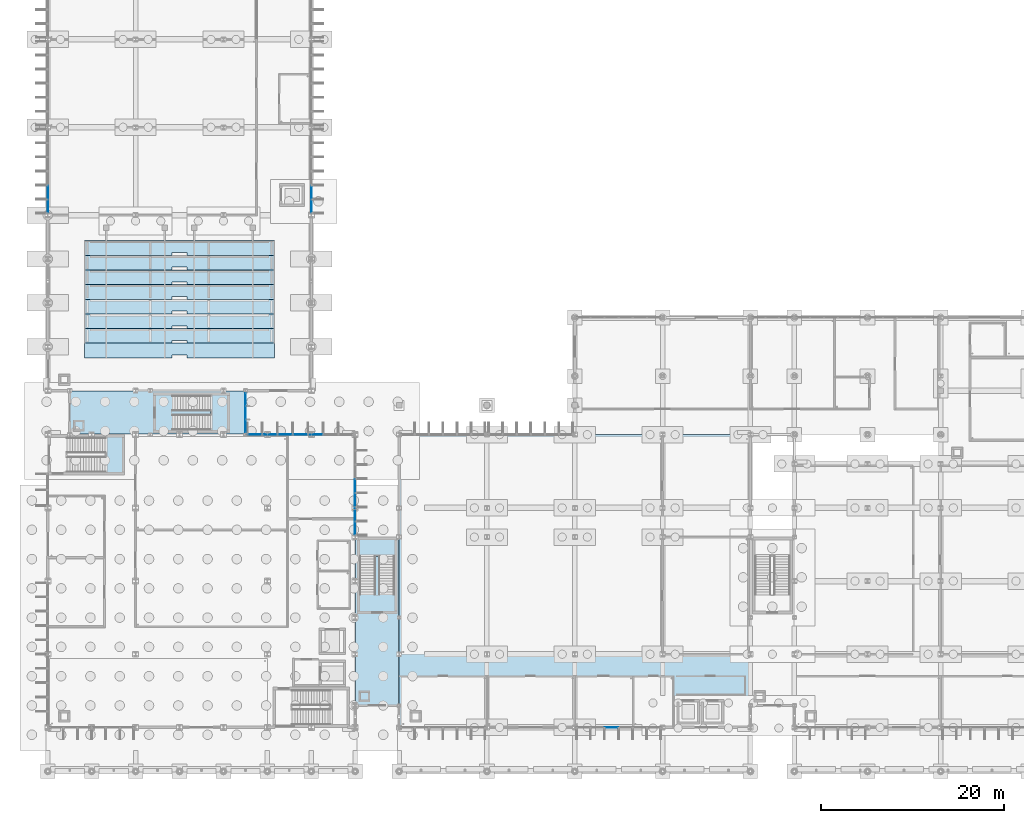
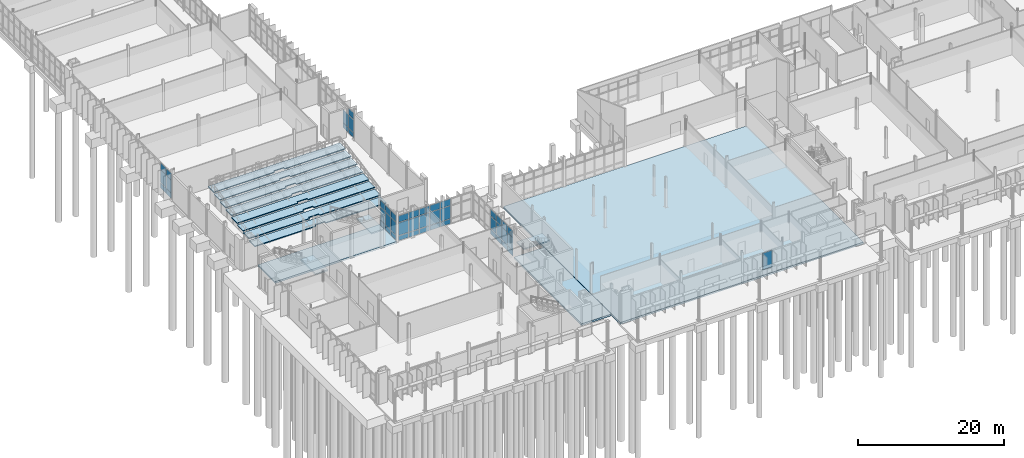
# One storey, part 42 of 111: 48 plates, 14 slabs, 9 elements without a shape of their own.
"""IFC4 building model written with IfcOpenShell, lengths in metres."""

from ifc_helpers import new_model, si_unit, direction, frame, origin, origin_2d, place, context, subcontext, project, spatial, polyline, rectangle, outline, extrude, material, layer, layer_set, type_object, element, aggregate, save


model = new_model("IFC4")

# Units and contexts
model_context = context("Model", 3, precision=1e-05, world=origin(), true_north=direction((0.0, 1.0)))
body_context = subcontext(model_context, "Body", "Model", "MODEL_VIEW")
ifc_project = project(units=[si_unit("LENGTHUNIT", "METRE"), si_unit("AREAUNIT", "SQUARE_METRE"), si_unit("VOLUMEUNIT", "CUBIC_METRE"), si_unit("PLANEANGLEUNIT", "RADIAN"), si_unit("MASSUNIT", "GRAM", prefix="KILO")], contexts=[model_context])

# Site, building, storey
site_placement = place(None, origin())
site = spatial("IfcSite", under=ifc_project, at=site_placement, CompositionType="ELEMENT")
building_placement = place(site_placement, origin())
building = spatial("IfcBuilding", under=site, at=building_placement, Name="Dunescarp Central Library", CompositionType="ELEMENT")
storey_placement = place(building_placement, origin())
storey = spatial("IfcBuildingStorey", under=building, at=storey_placement, Name="L00", CompositionType="ELEMENT", Elevation=0.0)

# Curtain wall, plates
ifc_material_1 = material(Name="Marine-grade anodised aluminium 6063-T6", Category="aluminium")
curtain_wall_type_1 = type_object("IfcCurtainWallType", Name="ARC-CW-STICK", PredefinedType="NOTDEFINED", material=ifc_material_1)
curtain_wall_1_placement = place(storey_placement, origin())
curtain_wall_1 = element("IfcCurtainWall", 1, at=curtain_wall_1_placement, inside=storey, type_object=curtain_wall_type_1, Name="L00 curtain wall CW-V1-002", PredefinedType="NOTDEFINED")
ifc_material_2 = material(Name="Solar-control laminated double glazing", Category="glass")
ifc_layer_1 = layer(ifc_material_2, 0.028076171875)
ifc_layer_set_1 = layer_set([ifc_layer_1], Name="Solar-control laminated double glazing")
plate_type_1 = type_object("IfcPlateType", Name="ARC-PLT-GLZ28", PredefinedType="CURTAIN_PANEL", material=ifc_layer_set_1)
plate_1_placement = place(storey_placement, frame((22.627197265625, 36.800048828125, 0.93994140625), z_axis=(0.0, 0.0, 1.0), x_axis=(1.0, 0.0, 0.0)))
plate_1 = element("IfcPlate", 2, at=plate_1_placement, type_object=plate_type_1, Name="CW-V1-002 panel 1.2", PredefinedType="CURTAIN_PANEL", context=body_context, shape_type="SweptSolid", body=[
    extrude(rectangle(XDim=1.544189453125, YDim=0.028076171875, at=origin_2d()), origin(), (0.0, 0.0, 1.0), 2.1201171875),
])
plate_2_placement = place(storey_placement, frame((22.627197265625, 36.800048828125, 3.14013671875), z_axis=(0.0, 0.0, 1.0), x_axis=(1.0, 0.0, 0.0)))
plate_2 = element("IfcPlate", 3, at=plate_2_placement, type_object=plate_type_1, Name="CW-V1-002 panel 1.3", PredefinedType="CURTAIN_PANEL", context=body_context, shape_type="SweptSolid", body=[
    extrude(rectangle(XDim=1.544189453125, YDim=0.028076171875, at=origin_2d()), origin(), (0.0, 0.0, 1.0), 1.0849609375),
])
plate_3_placement = place(storey_placement, frame((24.271484375, 36.800048828125, 0.93994140625), z_axis=(0.0, 0.0, 1.0), x_axis=(1.0, 0.0, 0.0)))
plate_3 = element("IfcPlate", 4, at=plate_3_placement, type_object=plate_type_1, Name="CW-V1-002 panel 2.2", PredefinedType="CURTAIN_PANEL", context=body_context, shape_type="SweptSolid", body=[
    extrude(rectangle(XDim=1.584228515625, YDim=0.028076171875, at=origin_2d()), origin(), (0.0, 0.0, 1.0), 2.1201171875),
])
plate_4_placement = place(storey_placement, frame((24.271484375, 36.800048828125, 3.14013671875), z_axis=(0.0, 0.0, 1.0), x_axis=(1.0, 0.0, 0.0)))
plate_4 = element("IfcPlate", 5, at=plate_4_placement, type_object=plate_type_1, Name="CW-V1-002 panel 2.3", PredefinedType="CURTAIN_PANEL", context=body_context, shape_type="SweptSolid", body=[
    extrude(rectangle(XDim=1.584228515625, YDim=0.028076171875, at=origin_2d()), origin(), (0.0, 0.0, 1.0), 1.0849609375),
])
plate_5_placement = place(storey_placement, frame((25.935791015625, 36.800048828125, 0.93994140625), z_axis=(0.0, 0.0, 1.0), x_axis=(1.0, 0.0, 0.0)))
plate_5 = element("IfcPlate", 6, at=plate_5_placement, type_object=plate_type_1, Name="CW-V1-002 panel 3.2", PredefinedType="CURTAIN_PANEL", context=body_context, shape_type="SweptSolid", body=[
    extrude(rectangle(XDim=1.584228515625, YDim=0.028076171875, at=origin_2d()), origin(), (0.0, 0.0, 1.0), 2.1201171875),
])
plate_6_placement = place(storey_placement, frame((25.935791015625, 36.800048828125, 3.14013671875), z_axis=(0.0, 0.0, 1.0), x_axis=(1.0, 0.0, 0.0)))
plate_6 = element("IfcPlate", 7, at=plate_6_placement, type_object=plate_type_1, Name="CW-V1-002 panel 3.3", PredefinedType="CURTAIN_PANEL", context=body_context, shape_type="SweptSolid", body=[
    extrude(rectangle(XDim=1.584228515625, YDim=0.028076171875, at=origin_2d()), origin(), (0.0, 0.0, 1.0), 1.0849609375),
])
plate_7_placement = place(storey_placement, frame((27.60009765625, 36.800048828125, 0.93994140625), z_axis=(0.0, 0.0, 1.0), x_axis=(1.0, 0.0, 0.0)))
plate_7 = element("IfcPlate", 8, at=plate_7_placement, type_object=plate_type_1, Name="CW-V1-002 panel 4.2", PredefinedType="CURTAIN_PANEL", context=body_context, shape_type="SweptSolid", body=[
    extrude(rectangle(XDim=1.584228515625, YDim=0.028076171875, at=origin_2d()), origin(), (0.0, 0.0, 1.0), 2.1201171875),
])
plate_8_placement = place(storey_placement, frame((27.60009765625, 36.800048828125, 3.14013671875), z_axis=(0.0, 0.0, 1.0), x_axis=(1.0, 0.0, 0.0)))
plate_8 = element("IfcPlate", 9, at=plate_8_placement, type_object=plate_type_1, Name="CW-V1-002 panel 4.3", PredefinedType="CURTAIN_PANEL", context=body_context, shape_type="SweptSolid", body=[
    extrude(rectangle(XDim=1.584228515625, YDim=0.028076171875, at=origin_2d()), origin(), (0.0, 0.0, 1.0), 1.0849609375),
])
plate_9_placement = place(storey_placement, frame((29.264404296875, 36.800048828125, 0.93994140625), z_axis=(0.0, 0.0, 1.0), x_axis=(1.0, 0.0, 0.0)))
plate_9 = element("IfcPlate", 10, at=plate_9_placement, type_object=plate_type_1, Name="CW-V1-002 panel 5.2", PredefinedType="CURTAIN_PANEL", context=body_context, shape_type="SweptSolid", body=[
    extrude(rectangle(XDim=1.584228515625, YDim=0.028076171875, at=origin_2d()), origin(), (0.0, 0.0, 1.0), 2.1201171875),
])
plate_10_placement = place(storey_placement, frame((29.264404296875, 36.800048828125, 3.14013671875), z_axis=(0.0, 0.0, 1.0), x_axis=(1.0, 0.0, 0.0)))
plate_10 = element("IfcPlate", 11, at=plate_10_placement, type_object=plate_type_1, Name="CW-V1-002 panel 5.3", PredefinedType="CURTAIN_PANEL", context=body_context, shape_type="SweptSolid", body=[
    extrude(rectangle(XDim=1.584228515625, YDim=0.028076171875, at=origin_2d()), origin(), (0.0, 0.0, 1.0), 1.0849609375),
])

curtain_wall_2_placement = place(storey_placement, origin())
curtain_wall_2 = element("IfcCurtainWall", 12, at=curtain_wall_2_placement, inside=storey, type_object=curtain_wall_type_1, Name="L00 curtain wall CW-V1-005", PredefinedType="NOTDEFINED")
plate_11_placement = place(storey_placement, frame((33.60009765625, 31.199951171875, 0.93994140625), z_axis=(0.0, 0.0, 1.0), x_axis=(0.0, -1.0, 0.0)))
plate_11 = element("IfcPlate", 13, at=plate_11_placement, type_object=plate_type_1, Name="CW-V1-005 panel 4.2", PredefinedType="CURTAIN_PANEL", context=body_context, shape_type="SweptSolid", body=[
    extrude(rectangle(XDim=1.469970703125, YDim=0.028076171875, at=origin_2d()), origin(), (0.0, 0.0, 1.0), 2.1201171875),
])
plate_12_placement = place(storey_placement, frame((33.60009765625, 31.199951171875, 3.14013671875), z_axis=(0.0, 0.0, 1.0), x_axis=(0.0, -1.0, 0.0)))
plate_12 = element("IfcPlate", 14, at=plate_12_placement, type_object=plate_type_1, Name="CW-V1-005 panel 4.3", PredefinedType="CURTAIN_PANEL", context=body_context, shape_type="SweptSolid", body=[
    extrude(rectangle(XDim=1.469970703125, YDim=0.028076171875, at=origin_2d()), origin(), (0.0, 0.0, 1.0), 1.0849609375),
])
plate_13_placement = place(storey_placement, frame((33.60009765625, 29.64990234375, 0.93994140625), z_axis=(0.0, 0.0, 1.0), x_axis=(0.0, -1.0, 0.0)))
plate_13 = element("IfcPlate", 15, at=plate_13_placement, type_object=plate_type_1, Name="CW-V1-005 panel 5.2", PredefinedType="CURTAIN_PANEL", context=body_context, shape_type="SweptSolid", body=[
    extrude(rectangle(XDim=1.469970703125, YDim=0.028076171875, at=origin_2d()), origin(), (0.0, 0.0, 1.0), 2.1201171875),
])
plate_14_placement = place(storey_placement, frame((33.60009765625, 29.64990234375, 3.14013671875), z_axis=(0.0, 0.0, 1.0), x_axis=(0.0, -1.0, 0.0)))
plate_14 = element("IfcPlate", 16, at=plate_14_placement, type_object=plate_type_1, Name="CW-V1-005 panel 5.3", PredefinedType="CURTAIN_PANEL", context=body_context, shape_type="SweptSolid", body=[
    extrude(rectangle(XDim=1.469970703125, YDim=0.028076171875, at=origin_2d()), origin(), (0.0, 0.0, 1.0), 1.0849609375),
])
plate_15_placement = place(storey_placement, frame((33.60009765625, 28.10009765625, 0.93994140625), z_axis=(0.0, 0.0, 1.0), x_axis=(0.0, -1.0, 0.0)))
plate_15 = element("IfcPlate", 17, at=plate_15_placement, type_object=plate_type_1, Name="CW-V1-005 panel 6.2", PredefinedType="CURTAIN_PANEL", context=body_context, shape_type="SweptSolid", body=[
    extrude(rectangle(XDim=1.469970703125, YDim=0.028076171875, at=origin_2d()), origin(), (0.0, 0.0, 1.0), 2.1201171875),
])
plate_16_placement = place(storey_placement, frame((33.60009765625, 28.10009765625, 3.14013671875), z_axis=(0.0, 0.0, 1.0), x_axis=(0.0, -1.0, 0.0)))
plate_16 = element("IfcPlate", 18, at=plate_16_placement, type_object=plate_type_1, Name="CW-V1-005 panel 6.3", PredefinedType="CURTAIN_PANEL", context=body_context, shape_type="SweptSolid", body=[
    extrude(rectangle(XDim=1.469970703125, YDim=0.028076171875, at=origin_2d()), origin(), (0.0, 0.0, 1.0), 1.0849609375),
])
plate_17_placement = place(storey_placement, frame((33.60009765625, 26.570068359375, 0.93994140625), z_axis=(0.0, 0.0, 1.0), x_axis=(0.0, -1.0, 0.0)))
plate_17 = element("IfcPlate", 19, at=plate_17_placement, type_object=plate_type_1, Name="CW-V1-005 panel 7.2", PredefinedType="CURTAIN_PANEL", context=body_context, shape_type="SweptSolid", body=[
    extrude(rectangle(XDim=1.429931640625, YDim=0.028076171875, at=origin_2d()), origin(), (0.0, 0.0, 1.0), 2.1201171875),
])
plate_18_placement = place(storey_placement, frame((33.60009765625, 26.570068359375, 3.14013671875), z_axis=(0.0, 0.0, 1.0), x_axis=(0.0, -1.0, 0.0)))
plate_18 = element("IfcPlate", 20, at=plate_18_placement, type_object=plate_type_1, Name="CW-V1-005 panel 7.3", PredefinedType="CURTAIN_PANEL", context=body_context, shape_type="SweptSolid", body=[
    extrude(rectangle(XDim=1.429931640625, YDim=0.028076171875, at=origin_2d()), origin(), (0.0, 0.0, 1.0), 1.0849609375),
])

# Curtain wall, plate
curtain_wall_3_placement = place(storey_placement, origin())
curtain_wall_3 = element("IfcCurtainWall", 21, at=curtain_wall_3_placement, inside=storey, type_object=curtain_wall_type_1, Name="L00 curtain wall CW-V2-045", PredefinedType="NOTDEFINED")
plate_19_placement = place(storey_placement, frame((61.629150390625, 4.800048828125, 0.93994140625), z_axis=(0.0, 0.0, 1.0), x_axis=(-1.0, 0.0, 0.0)))
plate_19 = element("IfcPlate", 22, at=plate_19_placement, type_object=plate_type_1, Name="CW-V2-045 panel 4.2", PredefinedType="CURTAIN_PANEL", context=body_context, shape_type="SweptSolid", body=[
    extrude(rectangle(XDim=1.461669921875, YDim=0.028076171875, at=origin_2d()), origin(), (0.0, 0.0, 1.0), 2.784912109375),
])
aggregate(curtain_wall_3, [plate_19])

# Curtain wall, plates
curtain_wall_4_placement = place(storey_placement, origin())
curtain_wall_4 = element("IfcCurtainWall", 23, at=curtain_wall_4_placement, inside=storey, type_object=curtain_wall_type_1, Name="L00 curtain wall CW-V4-112", PredefinedType="NOTDEFINED")
plate_20_placement = place(storey_placement, frame((0.0, 61.765869140625, 0.93994140625), z_axis=(0.0, 0.0, 1.0), x_axis=(0.0, 1.0, 0.0)))
plate_20 = element("IfcPlate", 24, at=plate_20_placement, type_object=plate_type_1, Name="CW-V4-112 panel 1.2", PredefinedType="CURTAIN_PANEL", context=body_context, shape_type="SweptSolid", body=[
    extrude(rectangle(XDim=1.421630859375, YDim=0.028076171875, at=origin_2d()), origin(), (0.0, 0.0, 1.0), 2.1201171875),
])
plate_21_placement = place(storey_placement, frame((0.0, 61.765869140625, 3.139892578125), z_axis=(0.0, 0.0, 1.0), x_axis=(0.0, 1.0, 0.0)))
plate_21 = element("IfcPlate", 25, at=plate_21_placement, type_object=plate_type_1, Name="CW-V4-112 panel 1.3", PredefinedType="CURTAIN_PANEL", context=body_context, shape_type="SweptSolid", body=[
    extrude(rectangle(XDim=1.421630859375, YDim=0.028076171875, at=origin_2d()), origin(), (0.0, 0.0, 1.0), 1.10205078125),
])
plate_22_placement = place(storey_placement, frame((0.0, 63.28759765625, 0.93994140625), z_axis=(0.0, 0.0, 1.0), x_axis=(0.0, 1.0, 0.0)))
plate_22 = element("IfcPlate", 26, at=plate_22_placement, type_object=plate_type_1, Name="CW-V4-112 panel 2.2", PredefinedType="CURTAIN_PANEL", context=body_context, shape_type="SweptSolid", body=[
    extrude(rectangle(XDim=1.461669921875, YDim=0.028076171875, at=origin_2d()), origin(), (0.0, 0.0, 1.0), 2.1201171875),
])
plate_23_placement = place(storey_placement, frame((0.0, 63.28759765625, 3.139892578125), z_axis=(0.0, 0.0, 1.0), x_axis=(0.0, 1.0, 0.0)))
plate_23 = element("IfcPlate", 27, at=plate_23_placement, type_object=plate_type_1, Name="CW-V4-112 panel 2.3", PredefinedType="CURTAIN_PANEL", context=body_context, shape_type="SweptSolid", body=[
    extrude(rectangle(XDim=1.461669921875, YDim=0.028076171875, at=origin_2d()), origin(), (0.0, 0.0, 1.0), 1.10205078125),
])

curtain_wall_5_placement = place(storey_placement, origin())
curtain_wall_5 = element("IfcCurtainWall", 28, at=curtain_wall_5_placement, inside=storey, type_object=curtain_wall_type_1, Name="L00 curtain wall CW-V4-113", PredefinedType="NOTDEFINED")
plate_24_placement = place(storey_placement, frame((28.800048828125, 63.28759765625, 0.93994140625), z_axis=(0.0, 0.0, 1.0), x_axis=(0.0, -1.0, 0.0)))
plate_24 = element("IfcPlate", 29, at=plate_24_placement, type_object=plate_type_1, Name="CW-V4-113 panel 5.2", PredefinedType="CURTAIN_PANEL", context=body_context, shape_type="SweptSolid", body=[
    extrude(rectangle(XDim=1.461669921875, YDim=0.028076171875, at=origin_2d()), origin(), (0.0, 0.0, 1.0), 2.1201171875),
])
plate_25_placement = place(storey_placement, frame((28.800048828125, 61.765869140625, 0.93994140625), z_axis=(0.0, 0.0, 1.0), x_axis=(0.0, -1.0, 0.0)))
plate_25 = element("IfcPlate", 30, at=plate_25_placement, type_object=plate_type_1, Name="CW-V4-113 panel 6.2", PredefinedType="CURTAIN_PANEL", context=body_context, shape_type="SweptSolid", body=[
    extrude(rectangle(XDim=1.421630859375, YDim=0.028076171875, at=origin_2d()), origin(), (0.0, 0.0, 1.0), 2.1201171875),
])
plate_26_placement = place(storey_placement, frame((28.800048828125, 61.765869140625, 3.139892578125), z_axis=(0.0, 0.0, 1.0), x_axis=(0.0, -1.0, 0.0)))
plate_26 = element("IfcPlate", 31, at=plate_26_placement, type_object=plate_type_1, Name="CW-V4-113 panel 6.3", PredefinedType="CURTAIN_PANEL", context=body_context, shape_type="SweptSolid", body=[
    extrude(rectangle(XDim=1.421630859375, YDim=0.028076171875, at=origin_2d()), origin(), (0.0, 0.0, 1.0), 1.10205078125),
])

curtain_wall_type_2 = type_object("IfcCurtainWallType", Name="ARC-CW-LINK", PredefinedType="USERDEFINED", material=ifc_material_1)
curtain_wall_6_placement = place(storey_placement, origin())
curtain_wall_6 = element("IfcCurtainWall", 32, at=curtain_wall_6_placement, inside=storey, type_object=curtain_wall_type_2, Name="L00 curtain wall CW-GL4-E-L00", ObjectType="GLAZED_LINK_WALL", PredefinedType="USERDEFINED")
plate_27_placement = place(storey_placement, frame((21.60009765625, 40.663330078125, 0.93994140625), z_axis=(0.0, 0.0, 1.0), x_axis=(0.0, -1.0, 0.0)))
plate_27 = element("IfcPlate", 33, at=plate_27_placement, type_object=plate_type_1, Name="CW-GL4-E-L00 panel 1.2", PredefinedType="CURTAIN_PANEL", context=body_context, shape_type="SweptSolid", body=[
    extrude(rectangle(XDim=1.36328125, YDim=0.028076171875, at=origin_2d()), origin(), (0.0, 0.0, 1.0), 2.1201171875),
])
plate_28_placement = place(storey_placement, frame((21.60009765625, 40.663330078125, 3.14013671875), z_axis=(0.0, 0.0, 1.0), x_axis=(0.0, -1.0, 0.0)))
plate_28 = element("IfcPlate", 34, at=plate_28_placement, type_object=plate_type_1, Name="CW-GL4-E-L00 panel 1.3", PredefinedType="CURTAIN_PANEL", context=body_context, shape_type="SweptSolid", body=[
    extrude(rectangle(XDim=1.36328125, YDim=0.028076171875, at=origin_2d()), origin(), (0.0, 0.0, 1.0), 1.0849609375),
])
plate_29_placement = place(storey_placement, frame((21.60009765625, 39.199951171875, 0.93994140625), z_axis=(0.0, 0.0, 1.0), x_axis=(0.0, -1.0, 0.0)))
plate_29 = element("IfcPlate", 35, at=plate_29_placement, type_object=plate_type_1, Name="CW-GL4-E-L00 panel 2.2", PredefinedType="CURTAIN_PANEL", context=body_context, shape_type="SweptSolid", body=[
    extrude(rectangle(XDim=1.4033203125, YDim=0.028076171875, at=origin_2d()), origin(), (0.0, 0.0, 1.0), 2.1201171875),
])
plate_30_placement = place(storey_placement, frame((21.60009765625, 39.199951171875, 3.14013671875), z_axis=(0.0, 0.0, 1.0), x_axis=(0.0, -1.0, 0.0)))
plate_30 = element("IfcPlate", 36, at=plate_30_placement, type_object=plate_type_1, Name="CW-GL4-E-L00 panel 2.3", PredefinedType="CURTAIN_PANEL", context=body_context, shape_type="SweptSolid", body=[
    extrude(rectangle(XDim=1.4033203125, YDim=0.028076171875, at=origin_2d()), origin(), (0.0, 0.0, 1.0), 1.0849609375),
])
plate_31_placement = place(storey_placement, frame((21.60009765625, 37.736572265625, 0.93994140625), z_axis=(0.0, 0.0, 1.0), x_axis=(0.0, -1.0, 0.0)))
plate_31 = element("IfcPlate", 37, at=plate_31_placement, type_object=plate_type_1, Name="CW-GL4-E-L00 panel 3.2", PredefinedType="CURTAIN_PANEL", context=body_context, shape_type="SweptSolid", body=[
    extrude(rectangle(XDim=1.36328125, YDim=0.028076171875, at=origin_2d()), origin(), (0.0, 0.0, 1.0), 2.1201171875),
])
plate_32_placement = place(storey_placement, frame((21.60009765625, 37.736572265625, 3.14013671875), z_axis=(0.0, 0.0, 1.0), x_axis=(0.0, -1.0, 0.0)))
plate_32 = element("IfcPlate", 38, at=plate_32_placement, type_object=plate_type_1, Name="CW-GL4-E-L00 panel 3.3", PredefinedType="CURTAIN_PANEL", context=body_context, shape_type="SweptSolid", body=[
    extrude(rectangle(XDim=1.36328125, YDim=0.028076171875, at=origin_2d()), origin(), (0.0, 0.0, 1.0), 1.0849609375),
])

# Plate
ifc_layer_2 = layer(ifc_material_1, 0.050048828125)
ifc_layer_set_2 = layer_set([ifc_layer_2], Name="Marine-grade anodised aluminium 6063-T6")
plate_type_2 = type_object("IfcPlateType", Name="ARC-PLT-SPN50", PredefinedType="SHEET", material=ifc_layer_set_2)
plate_33_placement = place(storey_placement, frame((22.627197265625, 36.800048828125, 0.080078125), z_axis=(0.0, 0.0, 1.0), x_axis=(1.0, 0.0, 0.0)))
plate_33 = element("IfcPlate", 39, at=plate_33_placement, type_object=plate_type_2, Name="CW-V1-002 panel 1.1", PredefinedType="SHEET", context=body_context, shape_type="SweptSolid", body=[
    extrude(rectangle(XDim=1.544189453125, YDim=0.050048828125, at=origin_2d()), origin(), (0.0, 0.0, 1.0), 0.780029296875),
])

plate_34_placement = place(storey_placement, frame((24.271484375, 36.800048828125, 0.080078125), z_axis=(0.0, 0.0, 1.0), x_axis=(1.0, 0.0, 0.0)))
plate_34 = element("IfcPlate", 40, at=plate_34_placement, type_object=plate_type_2, Name="CW-V1-002 panel 2.1", PredefinedType="SHEET", context=body_context, shape_type="SweptSolid", body=[
    extrude(rectangle(XDim=1.584228515625, YDim=0.050048828125, at=origin_2d()), origin(), (0.0, 0.0, 1.0), 0.780029296875),
])

plate_35_placement = place(storey_placement, frame((25.935791015625, 36.800048828125, 0.080078125), z_axis=(0.0, 0.0, 1.0), x_axis=(1.0, 0.0, 0.0)))
plate_35 = element("IfcPlate", 41, at=plate_35_placement, type_object=plate_type_2, Name="CW-V1-002 panel 3.1", PredefinedType="SHEET", context=body_context, shape_type="SweptSolid", body=[
    extrude(rectangle(XDim=1.584228515625, YDim=0.050048828125, at=origin_2d()), origin(), (0.0, 0.0, 1.0), 0.780029296875),
])

plate_36_placement = place(storey_placement, frame((27.60009765625, 36.800048828125, 0.080078125), z_axis=(0.0, 0.0, 1.0), x_axis=(1.0, 0.0, 0.0)))
plate_36 = element("IfcPlate", 42, at=plate_36_placement, type_object=plate_type_2, Name="CW-V1-002 panel 4.1", PredefinedType="SHEET", context=body_context, shape_type="SweptSolid", body=[
    extrude(rectangle(XDim=1.584228515625, YDim=0.050048828125, at=origin_2d()), origin(), (0.0, 0.0, 1.0), 0.780029296875),
])

plate_37_placement = place(storey_placement, frame((29.264404296875, 36.800048828125, 0.080078125), z_axis=(0.0, 0.0, 1.0), x_axis=(1.0, 0.0, 0.0)))
plate_37 = element("IfcPlate", 43, at=plate_37_placement, type_object=plate_type_2, Name="CW-V1-002 panel 5.1", PredefinedType="SHEET", context=body_context, shape_type="SweptSolid", body=[
    extrude(rectangle(XDim=1.584228515625, YDim=0.050048828125, at=origin_2d()), origin(), (0.0, 0.0, 1.0), 0.780029296875),
])

aggregate(curtain_wall_1, [plate_33, plate_1, plate_2, plate_34, plate_3, plate_4, plate_35, plate_5, plate_6, plate_36, plate_7, plate_8, plate_37, plate_9, plate_10])

plate_38_placement = place(storey_placement, frame((33.60009765625, 31.199951171875, 0.080078125), z_axis=(0.0, 0.0, 1.0), x_axis=(0.0, -1.0, 0.0)))
plate_38 = element("IfcPlate", 44, at=plate_38_placement, type_object=plate_type_2, Name="CW-V1-005 panel 4.1", PredefinedType="SHEET", context=body_context, shape_type="SweptSolid", body=[
    extrude(rectangle(XDim=1.469970703125, YDim=0.050048828125, at=origin_2d()), origin(), (0.0, 0.0, 1.0), 0.780029296875),
])

plate_39_placement = place(storey_placement, frame((33.60009765625, 29.64990234375, 0.080078125), z_axis=(0.0, 0.0, 1.0), x_axis=(0.0, -1.0, 0.0)))
plate_39 = element("IfcPlate", 45, at=plate_39_placement, type_object=plate_type_2, Name="CW-V1-005 panel 5.1", PredefinedType="SHEET", context=body_context, shape_type="SweptSolid", body=[
    extrude(rectangle(XDim=1.469970703125, YDim=0.050048828125, at=origin_2d()), origin(), (0.0, 0.0, 1.0), 0.780029296875),
])

plate_40_placement = place(storey_placement, frame((33.60009765625, 28.10009765625, 0.080078125), z_axis=(0.0, 0.0, 1.0), x_axis=(0.0, -1.0, 0.0)))
plate_40 = element("IfcPlate", 46, at=plate_40_placement, type_object=plate_type_2, Name="CW-V1-005 panel 6.1", PredefinedType="SHEET", context=body_context, shape_type="SweptSolid", body=[
    extrude(rectangle(XDim=1.469970703125, YDim=0.050048828125, at=origin_2d()), origin(), (0.0, 0.0, 1.0), 0.780029296875),
])

plate_41_placement = place(storey_placement, frame((33.60009765625, 26.570068359375, 0.080078125), z_axis=(0.0, 0.0, 1.0), x_axis=(0.0, -1.0, 0.0)))
plate_41 = element("IfcPlate", 47, at=plate_41_placement, type_object=plate_type_2, Name="CW-V1-005 panel 7.1", PredefinedType="SHEET", context=body_context, shape_type="SweptSolid", body=[
    extrude(rectangle(XDim=1.429931640625, YDim=0.050048828125, at=origin_2d()), origin(), (0.0, 0.0, 1.0), 0.780029296875),
])

aggregate(curtain_wall_2, [plate_38, plate_11, plate_12, plate_39, plate_13, plate_14, plate_40, plate_15, plate_16, plate_41, plate_17, plate_18])

plate_42_placement = place(storey_placement, frame((0.0, 61.765869140625, 0.080078125), z_axis=(0.0, 0.0, 1.0), x_axis=(0.0, 1.0, 0.0)))
plate_42 = element("IfcPlate", 48, at=plate_42_placement, type_object=plate_type_2, Name="CW-V4-112 panel 1.1", PredefinedType="SHEET", context=body_context, shape_type="SweptSolid", body=[
    extrude(rectangle(XDim=1.421630859375, YDim=0.050048828125, at=origin_2d()), origin(), (0.0, 0.0, 1.0), 0.780029296875),
])

plate_43_placement = place(storey_placement, frame((0.0, 63.28759765625, 0.080078125), z_axis=(0.0, 0.0, 1.0), x_axis=(0.0, 1.0, 0.0)))
plate_43 = element("IfcPlate", 49, at=plate_43_placement, type_object=plate_type_2, Name="CW-V4-112 panel 2.1", PredefinedType="SHEET", context=body_context, shape_type="SweptSolid", body=[
    extrude(rectangle(XDim=1.461669921875, YDim=0.050048828125, at=origin_2d()), origin(), (0.0, 0.0, 1.0), 0.780029296875),
])

aggregate(curtain_wall_4, [plate_42, plate_20, plate_21, plate_43, plate_22, plate_23])

plate_44_placement = place(storey_placement, frame((28.800048828125, 63.28759765625, 0.080078125), z_axis=(0.0, 0.0, 1.0), x_axis=(0.0, -1.0, 0.0)))
plate_44 = element("IfcPlate", 50, at=plate_44_placement, type_object=plate_type_2, Name="CW-V4-113 panel 5.1", PredefinedType="SHEET", context=body_context, shape_type="SweptSolid", body=[
    extrude(rectangle(XDim=1.461669921875, YDim=0.050048828125, at=origin_2d()), origin(), (0.0, 0.0, 1.0), 0.780029296875),
])

plate_45_placement = place(storey_placement, frame((28.800048828125, 61.765869140625, 0.080078125), z_axis=(0.0, 0.0, 1.0), x_axis=(0.0, -1.0, 0.0)))
plate_45 = element("IfcPlate", 51, at=plate_45_placement, type_object=plate_type_2, Name="CW-V4-113 panel 6.1", PredefinedType="SHEET", context=body_context, shape_type="SweptSolid", body=[
    extrude(rectangle(XDim=1.421630859375, YDim=0.050048828125, at=origin_2d()), origin(), (0.0, 0.0, 1.0), 0.780029296875),
])

aggregate(curtain_wall_5, [plate_44, plate_24, plate_45, plate_25, plate_26])

plate_46_placement = place(storey_placement, frame((21.60009765625, 40.663330078125, 0.080078125), z_axis=(0.0, 0.0, 1.0), x_axis=(0.0, -1.0, 0.0)))
plate_46 = element("IfcPlate", 52, at=plate_46_placement, type_object=plate_type_2, Name="CW-GL4-E-L00 panel 1.1", PredefinedType="SHEET", context=body_context, shape_type="SweptSolid", body=[
    extrude(rectangle(XDim=1.36328125, YDim=0.050048828125, at=origin_2d()), origin(), (0.0, 0.0, 1.0), 0.780029296875),
])

plate_47_placement = place(storey_placement, frame((21.60009765625, 39.199951171875, 0.080078125), z_axis=(0.0, 0.0, 1.0), x_axis=(0.0, -1.0, 0.0)))
plate_47 = element("IfcPlate", 53, at=plate_47_placement, type_object=plate_type_2, Name="CW-GL4-E-L00 panel 2.1", PredefinedType="SHEET", context=body_context, shape_type="SweptSolid", body=[
    extrude(rectangle(XDim=1.4033203125, YDim=0.050048828125, at=origin_2d()), origin(), (0.0, 0.0, 1.0), 0.780029296875),
])

plate_48_placement = place(storey_placement, frame((21.60009765625, 37.736572265625, 0.080078125), z_axis=(0.0, 0.0, 1.0), x_axis=(0.0, -1.0, 0.0)))
plate_48 = element("IfcPlate", 54, at=plate_48_placement, type_object=plate_type_2, Name="CW-GL4-E-L00 panel 3.1", PredefinedType="SHEET", context=body_context, shape_type="SweptSolid", body=[
    extrude(rectangle(XDim=1.36328125, YDim=0.050048828125, at=origin_2d()), origin(), (0.0, 0.0, 1.0), 0.780029296875),
])

aggregate(curtain_wall_6, [plate_46, plate_27, plate_28, plate_47, plate_29, plate_30, plate_48, plate_31, plate_32])

# Slabs
ifc_material_3 = material(Name="Concrete C35/45", Category="concrete")
ifc_layer_3 = layer(ifc_material_3, 0.300048828125)
ifc_layer_set_3 = layer_set([ifc_layer_3], Name="Concrete C35/45")
slab_type_1 = type_object("IfcSlabType", Name="STR-SLB-BASE300", PredefinedType="BASESLAB", material=ifc_layer_set_3)
slab_1_placement = place(storey_placement, frame((0.0, 0.0, -0.300048828125)))
element("IfcSlab", 55, at=slab_1_placement, inside=storey, type_object=slab_type_1, Name="L00 V2 slab", PredefinedType="BASESLAB", context=body_context, shape_type="SweptSolid", body=[
    extrude(outline(polyline([(38.39990234375, 4.800048828125), (76.800048828125, 4.800048828125), (76.800048828125, 36.800048828125), (38.39990234375, 36.800048828125), (38.39990234375, 4.800048828125)])), origin(), (0.0, 0.0, 1.0), 0.300048828125),
])
slab_2_placement = place(storey_placement, frame((0.0, 0.0, -0.300048828125)))
element("IfcSlab", 56, at=slab_2_placement, inside=storey, type_object=slab_type_1, Name="L00 GL1 slab", PredefinedType="BASESLAB", context=body_context, shape_type="SweptSolid", body=[
    extrude(outline(polyline([(33.64990234375, 7.199951171875), (38.35009765625, 7.199951171875), (38.35009765625, 25.60009765625), (33.64990234375, 25.60009765625), (33.64990234375, 7.199951171875)])), origin(), (0.0, 0.0, 1.0), 0.300048828125),
])
slab_3_placement = place(storey_placement, frame((0.0, 0.0, -0.300048828125)))
element("IfcSlab", 57, at=slab_3_placement, inside=storey, type_object=slab_type_1, Name="L00 GL4 slab", PredefinedType="BASESLAB", context=body_context, shape_type="SweptSolid", body=[
    extrude(outline(polyline([(2.39990234375, 36.85009765625), (21.60009765625, 36.85009765625), (21.60009765625, 41.550048828125), (2.39990234375, 41.550048828125), (2.39990234375, 36.85009765625)])), origin(), (0.0, 0.0, 1.0), 0.300048828125),
])

# Stair, slab
stair_type = type_object("IfcStairType", Name="ARC-STR-L00", PredefinedType="HALF_TURN_STAIR", material=ifc_material_3)
stair_1_placement = place(storey_placement, origin())
stair_1 = element("IfcStair", 58, at=stair_1_placement, inside=storey, type_object=stair_type, Name="L00 Protected escape stair ST-6", PredefinedType="HALF_TURN_STAIR")
ifc_layer_4 = layer(ifc_material_3, 0.199951171875)
ifc_layer_set_4 = layer_set([ifc_layer_4], Name="Concrete C35/45")
slab_type_2 = type_object("IfcSlabType", Name="STR-SLB-LAND200", PredefinedType="LANDING", material=ifc_layer_set_4)
slab_4_placement = place(storey_placement, frame((0.0, 0.0, 2.35009765625)))
slab_4 = element("IfcSlab", 59, at=slab_4_placement, type_object=slab_type_2, Name="ST-6 landing 1", PredefinedType="LANDING", context=body_context, shape_type="SweptSolid", body=[
    extrude(outline(polyline([(6.284912109375, 32.550048828125), (8.25, 32.550048828125), (8.25, 36.64990234375), (6.284912109375, 36.64990234375), (6.284912109375, 32.550048828125)])), origin(), (0.0, 0.0, 1.0), 0.199951171875),
])
aggregate(stair_1, [slab_4])

stair_2_placement = place(storey_placement, origin())
stair_2 = element("IfcStair", 60, at=stair_2_placement, inside=storey, type_object=stair_type, Name="L00 Protected escape stair ST-2", PredefinedType="HALF_TURN_STAIR")
slab_5_placement = place(storey_placement, frame((0.0, 0.0, 2.35009765625)))
slab_5 = element("IfcSlab", 61, at=slab_5_placement, type_object=slab_type_2, Name="ST-2 landing 1", PredefinedType="LANDING", context=body_context, shape_type="SweptSolid", body=[
    extrude(outline(polyline([(33.949951171875, 23.485107421875), (38.050048828125, 23.485107421875), (38.050048828125, 25.449951171875), (33.949951171875, 25.449951171875), (33.949951171875, 23.485107421875)])), origin(), (0.0, 0.0, 1.0), 0.199951171875),
])
aggregate(stair_2, [slab_5])

stair_3_placement = place(storey_placement, origin())
stair_3 = element("IfcStair", 62, at=stair_3_placement, inside=storey, type_object=stair_type, Name="L00 Protected escape stair ST-4", PredefinedType="HALF_TURN_STAIR")
slab_6_placement = place(storey_placement, frame((0.0, 0.0, 2.35009765625)))
slab_6 = element("IfcSlab", 63, at=slab_6_placement, type_object=slab_type_2, Name="ST-4 landing 1", PredefinedType="LANDING", context=body_context, shape_type="SweptSolid", body=[
    extrude(outline(polyline([(17.784912109375, 37.14990234375), (19.75, 37.14990234375), (19.75, 41.25), (17.784912109375, 41.25), (17.784912109375, 37.14990234375)])), origin(), (0.0, 0.0, 1.0), 0.199951171875),
])
aggregate(stair_3, [slab_6])

# Slabs
ifc_layer_5 = layer(ifc_material_3, 0.14990234375)
ifc_layer_set_5 = layer_set([ifc_layer_5], Name="Concrete C35/45")
slab_type_3 = type_object("IfcSlabType", Name="STR-SLB-TIER150", PredefinedType="USERDEFINED", material=ifc_layer_set_5)
slab_7_placement = place(storey_placement, frame((0.0, 0.0, 0.169921875)))
element("IfcSlab", 64, at=slab_7_placement, inside=storey, type_object=slab_type_3, Name="Auditorium raked seating tier 1", ObjectType="SEATING_TIER", PredefinedType="USERDEFINED", context=body_context, shape_type="SweptSolid", body=[
    extrude(outline(polyline([(4.0, 45.199951171875), (13.60009765625, 45.199951171875), (13.60009765625, 45.5), (15.199951171875, 45.5), (15.199951171875, 45.199951171875), (24.800048828125, 45.199951171875), (24.800048828125, 46.800048828125), (4.0, 46.800048828125), (4.0, 45.199951171875)])), origin(), (0.0, 0.0, 1.0), 0.150146484375),
])
slab_8_placement = place(storey_placement, frame((0.0, 0.0, 0.489990234375)))
element("IfcSlab", 65, at=slab_8_placement, inside=storey, type_object=slab_type_3, Name="Auditorium raked seating tier 2", ObjectType="SEATING_TIER", PredefinedType="USERDEFINED", context=body_context, shape_type="SweptSolid", body=[
    extrude(outline(polyline([(4.0, 46.800048828125), (13.60009765625, 46.800048828125), (13.60009765625, 47.10009765625), (15.199951171875, 47.10009765625), (15.199951171875, 46.800048828125), (24.800048828125, 46.800048828125), (24.800048828125, 48.39990234375), (4.0, 48.39990234375), (4.0, 46.800048828125)])), origin(), (0.0, 0.0, 1.0), 0.14990234375),
])
slab_9_placement = place(storey_placement, frame((0.0, 0.0, 0.81005859375)))
element("IfcSlab", 66, at=slab_9_placement, inside=storey, type_object=slab_type_3, Name="Auditorium raked seating tier 3", ObjectType="SEATING_TIER", PredefinedType="USERDEFINED", context=body_context, shape_type="SweptSolid", body=[
    extrude(outline(polyline([(4.0, 48.39990234375), (13.60009765625, 48.39990234375), (13.60009765625, 48.699951171875), (15.199951171875, 48.699951171875), (15.199951171875, 48.39990234375), (24.800048828125, 48.39990234375), (24.800048828125, 50.0), (4.0, 50.0), (4.0, 48.39990234375)])), origin(), (0.0, 0.0, 1.0), 0.14990234375),
])
slab_10_placement = place(storey_placement, frame((0.0, 0.0, 1.1298828125)))
element("IfcSlab", 67, at=slab_10_placement, inside=storey, type_object=slab_type_3, Name="Auditorium raked seating tier 4", ObjectType="SEATING_TIER", PredefinedType="USERDEFINED", context=body_context, shape_type="SweptSolid", body=[
    extrude(outline(polyline([(4.0, 50.0), (13.60009765625, 50.0), (13.60009765625, 50.300048828125), (15.199951171875, 50.300048828125), (15.199951171875, 50.0), (24.800048828125, 50.0), (24.800048828125, 51.60009765625), (4.0, 51.60009765625), (4.0, 50.0)])), origin(), (0.0, 0.0, 1.0), 0.150146484375),
])
slab_11_placement = place(storey_placement, frame((0.0, 0.0, 1.449951171875)))
element("IfcSlab", 68, at=slab_11_placement, inside=storey, type_object=slab_type_3, Name="Auditorium raked seating tier 5", ObjectType="SEATING_TIER", PredefinedType="USERDEFINED", context=body_context, shape_type="SweptSolid", body=[
    extrude(outline(polyline([(4.0, 51.60009765625), (13.60009765625, 51.60009765625), (13.60009765625, 51.89990234375), (15.199951171875, 51.89990234375), (15.199951171875, 51.60009765625), (24.800048828125, 51.60009765625), (24.800048828125, 53.199951171875), (4.0, 53.199951171875), (4.0, 51.60009765625)])), origin(), (0.0, 0.0, 1.0), 0.150146484375),
])
slab_12_placement = place(storey_placement, frame((0.0, 0.0, 1.77001953125)))
element("IfcSlab", 69, at=slab_12_placement, inside=storey, type_object=slab_type_3, Name="Auditorium raked seating tier 6", ObjectType="SEATING_TIER", PredefinedType="USERDEFINED", context=body_context, shape_type="SweptSolid", body=[
    extrude(outline(polyline([(4.0, 53.199951171875), (13.60009765625, 53.199951171875), (13.60009765625, 53.5), (15.199951171875, 53.5), (15.199951171875, 53.199951171875), (24.800048828125, 53.199951171875), (24.800048828125, 54.800048828125), (4.0, 54.800048828125), (4.0, 53.199951171875)])), origin(), (0.0, 0.0, 1.0), 0.14990234375),
])
slab_13_placement = place(storey_placement, frame((0.0, 0.0, 2.090087890625)))
element("IfcSlab", 70, at=slab_13_placement, inside=storey, type_object=slab_type_3, Name="Auditorium raked seating tier 7", ObjectType="SEATING_TIER", PredefinedType="USERDEFINED", context=body_context, shape_type="SweptSolid", body=[
    extrude(outline(polyline([(4.0, 54.800048828125), (13.60009765625, 54.800048828125), (13.60009765625, 55.10009765625), (15.199951171875, 55.10009765625), (15.199951171875, 54.800048828125), (24.800048828125, 54.800048828125), (24.800048828125, 56.39990234375), (4.0, 56.39990234375), (4.0, 54.800048828125)])), origin(), (0.0, 0.0, 1.0), 0.14990234375),
])
slab_14_placement = place(storey_placement, frame((0.0, 0.0, 2.409912109375)))
element("IfcSlab", 71, at=slab_14_placement, inside=storey, type_object=slab_type_3, Name="Auditorium raked seating tier 8", ObjectType="SEATING_TIER", PredefinedType="USERDEFINED", context=body_context, shape_type="SweptSolid", body=[
    extrude(outline(polyline([(4.0, 56.39990234375), (13.60009765625, 56.39990234375), (13.60009765625, 56.699951171875), (15.199951171875, 56.699951171875), (15.199951171875, 56.39990234375), (24.800048828125, 56.39990234375), (24.800048828125, 58.0), (4.0, 58.0), (4.0, 56.39990234375)])), origin(), (0.0, 0.0, 1.0), 0.150146484375),
])

save(model, "model.ifc")
